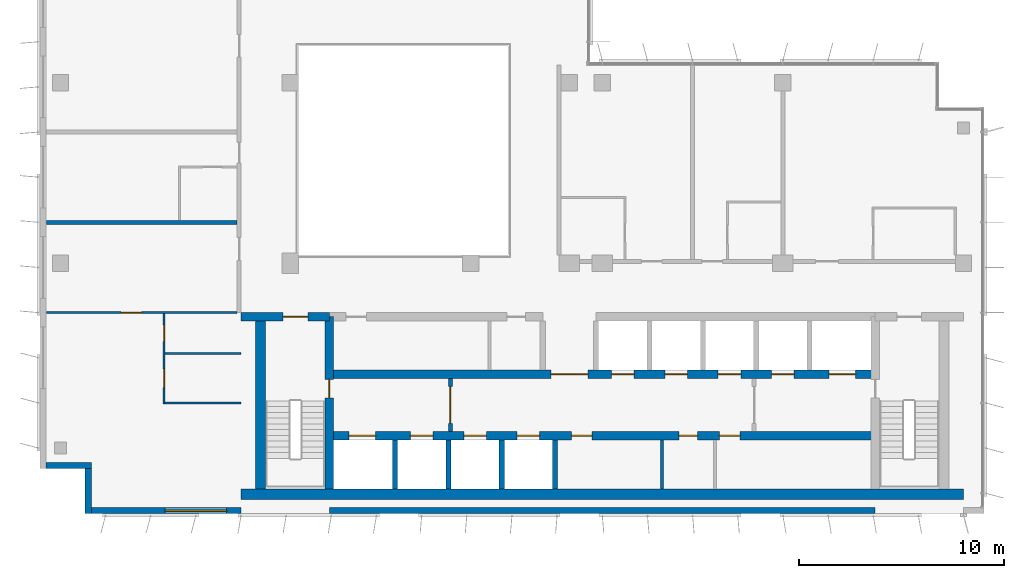
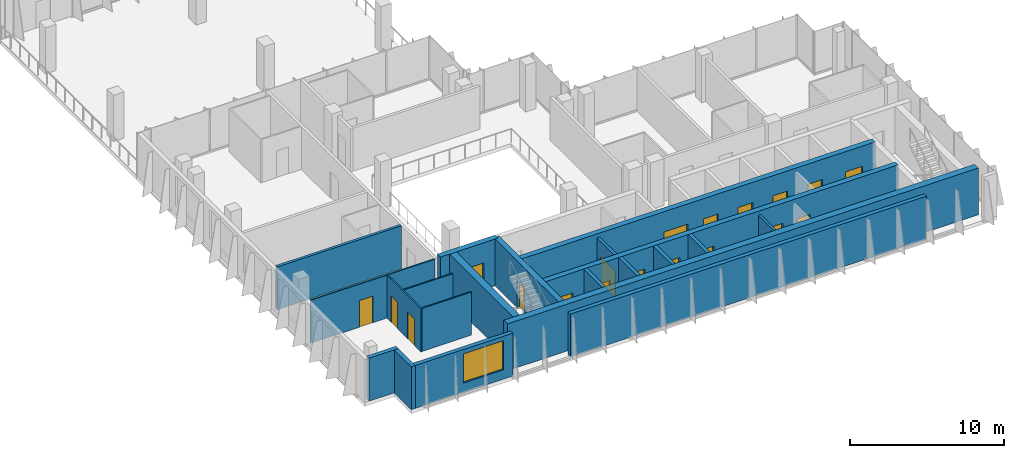
# One storey, part 9 of 15: 21 walls, 19 doors, 1 window, 20 openings.
"""IFC4 building model written with IfcOpenShell, lengths in metres."""

from ifc_helpers import new_model, si_unit, direction, frame, frame_2d, origin, place, context, subcontext, project, spatial, rectangle, extrude, material, layer, layer_set, type_object, element, fill, save


model = new_model("IFC4")

# Units and contexts
model_context = context("Model", 3, precision=1e-05, world=origin(), true_north=direction((0.0, 1.0)))
body_context = subcontext(model_context, "Body", "Model", "MODEL_VIEW")
ifc_project = project(units=[si_unit("LENGTHUNIT", "METRE"), si_unit("AREAUNIT", "SQUARE_METRE"), si_unit("VOLUMEUNIT", "CUBIC_METRE"), si_unit("PLANEANGLEUNIT", "RADIAN"), si_unit("MASSUNIT", "GRAM", prefix="KILO")], contexts=[model_context])

# Site, building, storey
site_placement = place(None, origin())
site = spatial("IfcSite", under=ifc_project, at=site_placement, CompositionType="ELEMENT")
building_placement = place(site_placement, origin())
building = spatial("IfcBuilding", under=site, at=building_placement, Name="Kemantara Hotel Tower", CompositionType="ELEMENT")
storey_placement = place(building_placement, frame((0.0, 0.0, 241.300048828125)))
storey = spatial("IfcBuildingStorey", under=building, at=storey_placement, Name="L60", CompositionType="ELEMENT", Elevation=241.300048828125)

# Walls
ifc_material_1 = material(Name="Bronze anodised aluminium cladding on insulated steel stud wall", Category="steel")
ifc_layer_1 = layer(ifc_material_1, 0.300048828125)
ifc_layer_set_1 = layer_set([ifc_layer_1], Name="Bronze anodised aluminium cladding on insulated steel stud wall")
wall_type_1 = type_object("IfcWallType", Name="BRONZE METAL-CLAD EXTERNAL WALL 300", PredefinedType="STANDARD", material=ifc_layer_set_1)
for number, where, z_axis, x_axis, name in (
    (1, (0.300048828125, 2.35009765625, 0.0), (0.0, 0.0, 1.0), (1.0, 0.0, 0.0), "EXTERNAL WALL L60 T4P-R03"),
    (2, (2.35009765625, 2.199951171875, 0.0), (0.0, 0.0, 1.0), (0.0, -1.0, 0.0), "EXTERNAL WALL L60 T4P-R04"),
):
    element("IfcWall", number, at=place(storey_placement, frame(where, z_axis=z_axis, x_axis=x_axis)), inside=storey, type_object=wall_type_1, Name=name, PredefinedType="STANDARD", context=body_context, shape_type="SweptSolid", body=[
        extrude(rectangle(XDim=2.199951171875, YDim=0.300048828125, at=frame_2d((1.10009765625, 0.0))), origin(), (0.0, 0.0, 1.0), 3.39990234375),
    ])

# Wall, opening, window
wall_1_placement = place(storey_placement, frame((2.5, 0.14990234375, 0.0), z_axis=(0.0, 0.0, 1.0), x_axis=(1.0, 0.0, 0.0)))
wall_1 = element("IfcWall", 3, at=wall_1_placement, inside=storey, type_object=wall_type_1, Name="EXTERNAL WALL L60 T4P-R05", PredefinedType="STANDARD", context=body_context, shape_type="SweptSolid", body=[
    extrude(rectangle(XDim=7.300048828125, YDim=0.300048828125, at=frame_2d((3.64990234375, 0.0))), origin(), (0.0, 0.0, 1.0), 3.39990234375),
])
opening_1_placement = place(wall_1_placement, frame((3.60009765625, 0.0, 0.75)))
opening_1 = element("IfcOpeningElement", 4, at=opening_1_placement, cuts=wall_1, Name="Opening W1", PredefinedType="OPENING", context=body_context, shape_type="SweptSolid", body=[
    extrude(rectangle(XDim=3.0, YDim=2.300048828125, at=frame_2d((1.5, 1.14990234375))), frame((0.0, 0.159912109375, 0.0), z_axis=(0.0, -1.0, 0.0), x_axis=(1.0, 0.0, 0.0)), (0.0, 0.0, 1.0), 0.320068359375),
])
ifc_material_2 = material(Name="Low-E tinted double insulated glass in bronze anodised aluminium frame", Category="aluminium")
window_type = type_object("IfcWindowType", Name="CHICAGO WINDOW, TRIPLE PANEL 3000x2300", PartitioningType="TRIPLE_PANEL_VERTICAL", PredefinedType="WINDOW", material=ifc_material_2)
window_placement = place(opening_1_placement, origin())
window = element("IfcWindow", 5, at=window_placement, inside=storey, type_object=window_type, Name="CHICAGO WINDOW L60 T4P-R05-54", OverallHeight=2.300048828125, OverallWidth=3.0, PartitioningType="SINGLE_PANEL", PredefinedType="WINDOW", context=body_context, shape_type="SweptSolid", body=[
    extrude(rectangle(XDim=3.0, YDim=2.300048828125, at=frame_2d((1.5, 1.14990234375))), frame((0.0, 0.030029296875, 0.0), z_axis=(0.0, -1.0, 0.0), x_axis=(1.0, 0.0, 0.0)), (0.0, 0.0, 1.0), 0.06005859375),
])
fill(opening_1, window)

# Walls
wall_2_placement = place(storey_placement, frame((14.10009765625, 0.14990234375, 0.0), z_axis=(0.0, 0.0, 1.0), x_axis=(1.0, 0.0, 0.0)))
element("IfcWall", 6, at=wall_2_placement, inside=storey, type_object=wall_type_1, Name="EXTERNAL WALL L60 T4P-R05-2", PredefinedType="STANDARD", context=body_context, shape_type="SweptSolid", body=[
    extrude(rectangle(XDim=26.599853515625, YDim=0.300048828125, at=frame_2d((13.2998046875, 0.0))), origin(), (0.0, 0.0, 1.0), 3.39990234375),
])
ifc_material_3 = material(Name="Concrete fc 60 MPa", Category="concrete")
ifc_layer_2 = layer(ifc_material_3, 0.25)
ifc_layer_set_2 = layer_set([ifc_layer_2], Name="Concrete fc 60 MPa")
wall_type_2 = type_object("IfcWallType", Name="CORE WALL 250 FC60", PredefinedType="SHEAR", material=ifc_layer_set_2)
for number, where, z_axis, x_axis, name in (
    (7, (17.300048828125, 1.199951171875, 0.0), (0.0, 0.0, 1.0), (0.0, 1.0, 0.0), "CORE WALL CW-DS17.3"),
    (8, (19.89990234375, 1.199951171875, 0.0), (0.0, 0.0, 1.0), (0.0, 1.0, 0.0), "CORE WALL CW-DS19.9"),
    (9, (22.5, 1.199951171875, 0.0), (0.0, 0.0, 1.0), (0.0, 1.0, 0.0), "CORE WALL CW-DS22.5"),
    (10, (25.10009765625, 1.199951171875, 0.0), (0.0, 0.0, 1.0), (0.0, 1.0, 0.0), "CORE WALL CW-DS25.1"),
):
    element("IfcWall", number, at=place(storey_placement, frame(where, z_axis=z_axis, x_axis=x_axis)), inside=storey, type_object=wall_type_2, Name=name, PredefinedType="SHEAR", context=body_context, shape_type="SweptSolid", body=[
        extrude(rectangle(XDim=2.400146484375, YDim=0.25, at=frame_2d((1.2001953125, 0.0))), origin(), (0.0, 0.0, 1.0), 3.699951171875),
    ])

# Wall, opening, door
ifc_layer_3 = layer(ifc_material_3, 0.39990234375)
ifc_layer_set_3 = layer_set([ifc_layer_3], Name="Concrete fc 60 MPa")
wall_type_3 = type_object("IfcWallType", Name="CORE WALL 400 FC60", PredefinedType="SHEAR", material=ifc_layer_set_3)
wall_3_placement = place(storey_placement, frame((9.800048828125, 9.60009765625, 0.0), z_axis=(0.0, 0.0, 1.0), x_axis=(1.0, 0.0, 0.0)))
wall_3 = element("IfcWall", 11, at=wall_3_placement, inside=storey, type_object=wall_type_3, Name="CORE WALL CW-N1", PredefinedType="SHEAR", context=body_context, shape_type="SweptSolid", body=[
    extrude(rectangle(XDim=4.300048828125, YDim=0.39990234375, at=frame_2d((2.14990234375, 0.0))), origin(), (0.0, 0.0, 1.0), 3.699951171875),
])
opening_2_placement = place(wall_3_placement, frame((2.050048828125, 0.0, 0.0)))
opening_2 = element("IfcOpeningElement", 12, at=opening_2_placement, cuts=wall_3, Name="Opening C36-ST1-C", PredefinedType="OPENING", context=body_context, shape_type="SweptSolid", body=[
    extrude(rectangle(XDim=1.199951171875, YDim=2.10009765625, at=frame_2d((0.60009765625, 1.050048828125))), frame((0.0, 0.2099609375, 0.0), z_axis=(0.0, -1.0, 0.0), x_axis=(1.0, 0.0, 0.0)), (0.0, 0.0, 1.0), 0.419921875),
])
ifc_material_4 = material(Name="Steel fire door", Category="steel")
door_type_1 = type_object("IfcDoorType", Name="Fire door FD90 1200 x 2100", OperationType="NOTDEFINED", PredefinedType="DOOR", material=ifc_material_4)
door_1_placement = place(opening_2_placement, frame((1.199951171875, 0.0, 0.0), z_axis=(0.0, 0.0, 1.0), x_axis=(-1.0, 0.0, 0.0)))
door_1 = element("IfcDoor", 13, at=door_1_placement, inside=storey, type_object=door_type_1, Name="Stair ST1 door to corridor", OperationType="SINGLE_SWING_LEFT", OverallHeight=2.10009765625, OverallWidth=1.199951171875, PredefinedType="DOOR", context=body_context, shape_type="SweptSolid", body=[
    extrude(rectangle(XDim=1.199951171875, YDim=2.10009765625, at=frame_2d((0.60009765625, 1.050048828125))), frame((0.0, 0.02490234375, 0.0), z_axis=(0.0, -1.0, 0.0), x_axis=(1.0, 0.0, 0.0)), (0.0, 0.0, 1.0), 0.050048828125),
])
fill(opening_2, door_1)

# Wall, openings, doors
wall_4_placement = place(storey_placement, frame((14.10009765625, 3.800048828125, 0.0), z_axis=(0.0, 0.0, 1.0), x_axis=(1.0, 0.0, 0.0)))
wall_4 = element("IfcWall", 14, at=wall_4_placement, inside=storey, type_object=wall_type_3, Name="CORE WALL CW-L1", PredefinedType="SHEAR", context=body_context, shape_type="SweptSolid", body=[
    extrude(rectangle(XDim=26.599853515625, YDim=0.39990234375, at=frame_2d((13.2998046875, 0.0))), origin(), (0.0, 0.0, 1.0), 3.699951171875),
])
opening_3_placement = place(wall_4_placement, frame((0.949951171875, 0.0, 0.0)))
opening_3 = element("IfcOpeningElement", 15, at=opening_3_placement, cuts=wall_4, Name="Opening C36-LD-FF1", PredefinedType="OPENING", context=body_context, shape_type="SweptSolid", body=[
    extrude(rectangle(XDim=1.300048828125, YDim=2.10009765625, at=frame_2d((0.64990234375, 1.050048828125))), frame((0.0, 0.2099609375, 0.0), z_axis=(0.0, -1.0, 0.0), x_axis=(1.0, 0.0, 0.0)), (0.0, 0.0, 1.0), 0.419921875),
])
opening_4_placement = place(wall_4_placement, frame((3.949951171875, 0.0, 0.0)))
opening_4 = element("IfcOpeningElement", 16, at=opening_4_placement, cuts=wall_4, Name="Opening C36-LD-SV1", PredefinedType="OPENING", context=body_context, shape_type="SweptSolid", body=[
    extrude(rectangle(XDim=1.10009765625, YDim=2.10009765625, at=frame_2d((0.550048828125, 1.050048828125))), frame((0.0, 0.2099609375, 0.0), z_axis=(0.0, -1.0, 0.0), x_axis=(1.0, 0.0, 0.0)), (0.0, 0.0, 1.0), 0.419921875),
])
opening_5_placement = place(wall_4_placement, frame((6.550048828125, 0.0, 0.0)))
opening_5 = element("IfcOpeningElement", 17, at=opening_5_placement, cuts=wall_4, Name="Opening C36-LD-SV2", PredefinedType="OPENING", context=body_context, shape_type="SweptSolid", body=[
    extrude(rectangle(XDim=1.10009765625, YDim=2.10009765625, at=frame_2d((0.550048828125, 1.050048828125))), frame((0.0, 0.2099609375, 0.0), z_axis=(0.0, -1.0, 0.0), x_axis=(1.0, 0.0, 0.0)), (0.0, 0.0, 1.0), 0.419921875),
])
opening_6_placement = place(wall_4_placement, frame((9.14990234375, 0.0, 0.0)))
opening_6 = element("IfcOpeningElement", 18, at=opening_6_placement, cuts=wall_4, Name="Opening C36-LD-SV3", PredefinedType="OPENING", context=body_context, shape_type="SweptSolid", body=[
    extrude(rectangle(XDim=1.10009765625, YDim=2.10009765625, at=frame_2d((0.550048828125, 1.050048828125))), frame((0.0, 0.2099609375, 0.0), z_axis=(0.0, -1.0, 0.0), x_axis=(1.0, 0.0, 0.0)), (0.0, 0.0, 1.0), 0.419921875),
])
opening_7_placement = place(wall_4_placement, frame((11.800048828125, 0.0, 0.0)))
opening_7 = element("IfcOpeningElement", 19, at=opening_7_placement, cuts=wall_4, Name="Opening C36-R-SM1", PredefinedType="OPENING", context=body_context, shape_type="SweptSolid", body=[
    extrude(rectangle(XDim=1.0, YDim=2.10009765625, at=frame_2d((0.5, 1.050048828125))), frame((0.0, 0.2099609375, 0.0), z_axis=(0.0, -1.0, 0.0), x_axis=(1.0, 0.0, 0.0)), (0.0, 0.0, 1.0), 0.419921875),
])
opening_8_placement = place(wall_4_placement, frame((17.050048828125, 0.0, 0.0)))
opening_8 = element("IfcOpeningElement", 20, at=opening_8_placement, cuts=wall_4, Name="Opening C36-R-SM2", PredefinedType="OPENING", context=body_context, shape_type="SweptSolid", body=[
    extrude(rectangle(XDim=0.89990234375, YDim=2.10009765625, at=frame_2d((0.449951171875, 1.050048828125))), frame((0.0, 0.2099609375, 0.0), z_axis=(0.0, -1.0, 0.0), x_axis=(1.0, 0.0, 0.0)), (0.0, 0.0, 1.0), 0.419921875),
])
opening_9_placement = place(wall_4_placement, frame((19.0, 0.0, 0.0)))
opening_9 = element("IfcOpeningElement", 21, at=opening_9_placement, cuts=wall_4, Name="Opening C36-R-SM3", PredefinedType="OPENING", context=body_context, shape_type="SweptSolid", body=[
    extrude(rectangle(XDim=1.0, YDim=2.10009765625, at=frame_2d((0.5, 1.050048828125))), frame((0.0, 0.2099609375, 0.0), z_axis=(0.0, -1.0, 0.0), x_axis=(1.0, 0.0, 0.0)), (0.0, 0.0, 1.0), 0.419921875),
])
door_type_2 = type_object("IfcDoorType", Name="Fire door FD30S 1000 x 2100", OperationType="NOTDEFINED", PredefinedType="DOOR", material=ifc_material_4)
door_2_placement = place(opening_7_placement, frame((1.0, 0.0, 0.0), z_axis=(0.0, 0.0, 1.0), x_axis=(-1.0, 0.0, 0.0)))
door_2 = element("IfcDoor", 22, at=door_2_placement, inside=storey, type_object=door_type_2, Name="Ice And Vending Room door", OperationType="SINGLE_SWING_RIGHT", OverallHeight=2.10009765625, OverallWidth=1.0, PredefinedType="DOOR", context=body_context, shape_type="SweptSolid", body=[
    extrude(rectangle(XDim=1.0, YDim=2.10009765625, at=frame_2d((0.5, 1.050048828125))), frame((0.0, 0.02490234375, 0.0), z_axis=(0.0, -1.0, 0.0), x_axis=(1.0, 0.0, 0.0)), (0.0, 0.0, 1.0), 0.050048828125),
])
fill(opening_7, door_2)
door_3_placement = place(opening_9_placement, frame((1.0, 0.0, 0.0), z_axis=(0.0, 0.0, 1.0), x_axis=(-1.0, 0.0, 0.0)))
door_3 = element("IfcDoor", 23, at=door_3_placement, inside=storey, type_object=door_type_2, Name="Guest Pantry door", OperationType="SINGLE_SWING_LEFT", OverallHeight=2.10009765625, OverallWidth=1.0, PredefinedType="DOOR", context=body_context, shape_type="SweptSolid", body=[
    extrude(rectangle(XDim=1.0, YDim=2.10009765625, at=frame_2d((0.5, 1.050048828125))), frame((0.0, 0.02490234375, 0.0), z_axis=(0.0, -1.0, 0.0), x_axis=(1.0, 0.0, 0.0)), (0.0, 0.0, 1.0), 0.050048828125),
])
fill(opening_9, door_3)
door_type_3 = type_object("IfcDoorType", Name="Fire door FD30S 900 x 2100", OperationType="NOTDEFINED", PredefinedType="DOOR", material=ifc_material_4)
door_4_placement = place(opening_8_placement, frame((0.89990234375, 0.0, 0.0), z_axis=(0.0, 0.0, 1.0), x_axis=(-1.0, 0.0, 0.0)))
door_4 = element("IfcDoor", 24, at=door_4_placement, inside=storey, type_object=door_type_3, Name="Staff Wc door", OperationType="SINGLE_SWING_LEFT", OverallHeight=2.10009765625, OverallWidth=0.89990234375, PredefinedType="DOOR", context=body_context, shape_type="SweptSolid", body=[
    extrude(rectangle(XDim=0.89990234375, YDim=2.10009765625, at=frame_2d((0.449951171875, 1.050048828125))), frame((0.0, 0.02490234375, 0.0), z_axis=(0.0, -1.0, 0.0), x_axis=(1.0, 0.0, 0.0)), (0.0, 0.0, 1.0), 0.050048828125),
])
fill(opening_8, door_4)
ifc_material_5 = material(Name="Stainless steel lift door", Category="steel")
door_type_4 = type_object("IfcDoorType", Name="Lift landing door 1100 x 2100 FD60", OperationType="DOUBLE_DOOR_SLIDING", PredefinedType="DOOR", material=ifc_material_5)
door_5_placement = place(opening_4_placement, origin())
door_5 = element("IfcDoor", 25, at=door_5_placement, inside=storey, type_object=door_type_4, Name="Lift SV1 landing door", OperationType="DOUBLE_DOOR_SLIDING", OverallHeight=2.10009765625, OverallWidth=1.10009765625, PredefinedType="DOOR", context=body_context, shape_type="SweptSolid", body=[
    extrude(rectangle(XDim=1.10009765625, YDim=2.10009765625, at=frame_2d((0.550048828125, 1.050048828125))), frame((0.0, 0.02490234375, 0.0), z_axis=(0.0, -1.0, 0.0), x_axis=(1.0, 0.0, 0.0)), (0.0, 0.0, 1.0), 0.050048828125),
])
fill(opening_4, door_5)
door_6_placement = place(opening_5_placement, origin())
door_6 = element("IfcDoor", 26, at=door_6_placement, inside=storey, type_object=door_type_4, Name="Lift SV2 landing door", OperationType="DOUBLE_DOOR_SLIDING", OverallHeight=2.10009765625, OverallWidth=1.10009765625, PredefinedType="DOOR", context=body_context, shape_type="SweptSolid", body=[
    extrude(rectangle(XDim=1.10009765625, YDim=2.10009765625, at=frame_2d((0.550048828125, 1.050048828125))), frame((0.0, 0.02490234375, 0.0), z_axis=(0.0, -1.0, 0.0), x_axis=(1.0, 0.0, 0.0)), (0.0, 0.0, 1.0), 0.050048828125),
])
fill(opening_5, door_6)
door_7_placement = place(opening_6_placement, origin())
door_7 = element("IfcDoor", 27, at=door_7_placement, inside=storey, type_object=door_type_4, Name="Lift SV3 landing door", OperationType="DOUBLE_DOOR_SLIDING", OverallHeight=2.10009765625, OverallWidth=1.10009765625, PredefinedType="DOOR", context=body_context, shape_type="SweptSolid", body=[
    extrude(rectangle(XDim=1.10009765625, YDim=2.10009765625, at=frame_2d((0.550048828125, 1.050048828125))), frame((0.0, 0.02490234375, 0.0), z_axis=(0.0, -1.0, 0.0), x_axis=(1.0, 0.0, 0.0)), (0.0, 0.0, 1.0), 0.050048828125),
])
fill(opening_6, door_7)
door_type_5 = type_object("IfcDoorType", Name="Lift landing door 1300 x 2100 FD90", OperationType="DOUBLE_DOOR_SLIDING", PredefinedType="DOOR", material=ifc_material_5)
door_8_placement = place(opening_3_placement, origin())
door_8 = element("IfcDoor", 28, at=door_8_placement, inside=storey, type_object=door_type_5, Name="Lift FF1 landing door", OperationType="DOUBLE_DOOR_SLIDING", OverallHeight=2.10009765625, OverallWidth=1.300048828125, PredefinedType="DOOR", context=body_context, shape_type="SweptSolid", body=[
    extrude(rectangle(XDim=1.300048828125, YDim=2.10009765625, at=frame_2d((0.64990234375, 1.050048828125))), frame((0.0, 0.02490234375, 0.0), z_axis=(0.0, -1.0, 0.0), x_axis=(1.0, 0.0, 0.0)), (0.0, 0.0, 1.0), 0.050048828125),
])
fill(opening_3, door_8)

wall_5_placement = place(storey_placement, frame((14.10009765625, 6.800048828125, 0.0), z_axis=(0.0, 0.0, 1.0), x_axis=(1.0, 0.0, 0.0)))
wall_5 = element("IfcWall", 29, at=wall_5_placement, inside=storey, type_object=wall_type_3, Name="CORE WALL CW-L2", PredefinedType="SHEAR", context=body_context, shape_type="SweptSolid", body=[
    extrude(rectangle(XDim=26.599853515625, YDim=0.39990234375, at=frame_2d((13.2998046875, 0.0))), origin(), (0.0, 0.0, 1.0), 3.699951171875),
])
opening_10_placement = place(wall_5_placement, frame((10.800048828125, 0.0, 0.0)))
opening_10 = element("IfcOpeningElement", 30, at=opening_10_placement, cuts=wall_5, Name="Opening C36-VL", PredefinedType="OPENING", context=body_context, shape_type="SweptSolid", body=[
    extrude(rectangle(XDim=1.800048828125, YDim=2.10009765625, at=frame_2d((0.89990234375, 1.050048828125))), frame((0.0, 0.2099609375, 0.0), z_axis=(0.0, -1.0, 0.0), x_axis=(1.0, 0.0, 0.0)), (0.0, 0.0, 1.0), 0.419921875),
])
opening_11_placement = place(wall_5_placement, frame((13.75, 0.0, 0.0)))
opening_11 = element("IfcOpeningElement", 31, at=opening_11_placement, cuts=wall_5, Name="Opening C36-LD-HR1", PredefinedType="OPENING", context=body_context, shape_type="SweptSolid", body=[
    extrude(rectangle(XDim=1.10009765625, YDim=2.10009765625, at=frame_2d((0.550048828125, 1.050048828125))), frame((0.0, 0.2099609375, 0.0), z_axis=(0.0, -1.0, 0.0), x_axis=(1.0, 0.0, 0.0)), (0.0, 0.0, 1.0), 0.419921875),
])
opening_12_placement = place(wall_5_placement, frame((16.35009765625, 0.0, 0.0)))
opening_12 = element("IfcOpeningElement", 32, at=opening_12_placement, cuts=wall_5, Name="Opening C36-LD-HR2", PredefinedType="OPENING", context=body_context, shape_type="SweptSolid", body=[
    extrude(rectangle(XDim=1.10009765625, YDim=2.10009765625, at=frame_2d((0.550048828125, 1.050048828125))), frame((0.0, 0.2099609375, 0.0), z_axis=(0.0, -1.0, 0.0), x_axis=(1.0, 0.0, 0.0)), (0.0, 0.0, 1.0), 0.419921875),
])
opening_13_placement = place(wall_5_placement, frame((18.949951171875, 0.0, 0.0)))
opening_13 = element("IfcOpeningElement", 33, at=opening_13_placement, cuts=wall_5, Name="Opening C36-LD-HR3", PredefinedType="OPENING", context=body_context, shape_type="SweptSolid", body=[
    extrude(rectangle(XDim=1.10009765625, YDim=2.10009765625, at=frame_2d((0.550048828125, 1.050048828125))), frame((0.0, 0.2099609375, 0.0), z_axis=(0.0, -1.0, 0.0), x_axis=(1.0, 0.0, 0.0)), (0.0, 0.0, 1.0), 0.419921875),
])
opening_14_placement = place(wall_5_placement, frame((21.550048828125, 0.0, 0.0)))
opening_14 = element("IfcOpeningElement", 34, at=opening_14_placement, cuts=wall_5, Name="Opening C36-LD-HR4", PredefinedType="OPENING", context=body_context, shape_type="SweptSolid", body=[
    extrude(rectangle(XDim=1.10009765625, YDim=2.10009765625, at=frame_2d((0.550048828125, 1.050048828125))), frame((0.0, 0.2099609375, 0.0), z_axis=(0.0, -1.0, 0.0), x_axis=(1.0, 0.0, 0.0)), (0.0, 0.0, 1.0), 0.419921875),
])
opening_15_placement = place(wall_5_placement, frame((24.35009765625, 0.0, 0.0)))
opening_15 = element("IfcOpeningElement", 35, at=opening_15_placement, cuts=wall_5, Name="Opening C36-LD-FF2", PredefinedType="OPENING", context=body_context, shape_type="SweptSolid", body=[
    extrude(rectangle(XDim=1.300048828125, YDim=2.10009765625, at=frame_2d((0.64990234375, 1.050048828125))), frame((0.0, 0.2099609375, 0.0), z_axis=(0.0, -1.0, 0.0), x_axis=(1.0, 0.0, 0.0)), (0.0, 0.0, 1.0), 0.419921875),
])
door_type_6 = type_object("IfcDoorType", Name="Fire door pair FD60 1800 x 2100", OperationType="DOUBLE_DOOR_SINGLE_SWING", PredefinedType="DOOR", material=ifc_material_4)
door_9_placement = place(opening_10_placement, frame((1.800048828125, 0.0, 0.0), z_axis=(0.0, 0.0, 1.0), x_axis=(-1.0, 0.0, 0.0)))
door_9 = element("IfcDoor", 36, at=door_9_placement, inside=storey, type_object=door_type_6, Name="Lift lobby entry door", OperationType="DOUBLE_DOOR_SINGLE_SWING", OverallHeight=2.10009765625, OverallWidth=1.800048828125, PredefinedType="DOOR", context=body_context, shape_type="SweptSolid", body=[
    extrude(rectangle(XDim=1.800048828125, YDim=2.10009765625, at=frame_2d((0.89990234375, 1.050048828125))), frame((0.0, 0.02490234375, 0.0), z_axis=(0.0, -1.0, 0.0), x_axis=(1.0, 0.0, 0.0)), (0.0, 0.0, 1.0), 0.050048828125),
])
fill(opening_10, door_9)
door_10_placement = place(opening_11_placement, origin())
door_10 = element("IfcDoor", 37, at=door_10_placement, inside=storey, type_object=door_type_4, Name="Lift HR1 landing door", OperationType="DOUBLE_DOOR_SLIDING", OverallHeight=2.10009765625, OverallWidth=1.10009765625, PredefinedType="DOOR", context=body_context, shape_type="SweptSolid", body=[
    extrude(rectangle(XDim=1.10009765625, YDim=2.10009765625, at=frame_2d((0.550048828125, 1.050048828125))), frame((0.0, 0.02490234375, 0.0), z_axis=(0.0, -1.0, 0.0), x_axis=(1.0, 0.0, 0.0)), (0.0, 0.0, 1.0), 0.050048828125),
])
fill(opening_11, door_10)
door_11_placement = place(opening_12_placement, origin())
door_11 = element("IfcDoor", 38, at=door_11_placement, inside=storey, type_object=door_type_4, Name="Lift HR2 landing door", OperationType="DOUBLE_DOOR_SLIDING", OverallHeight=2.10009765625, OverallWidth=1.10009765625, PredefinedType="DOOR", context=body_context, shape_type="SweptSolid", body=[
    extrude(rectangle(XDim=1.10009765625, YDim=2.10009765625, at=frame_2d((0.550048828125, 1.050048828125))), frame((0.0, 0.02490234375, 0.0), z_axis=(0.0, -1.0, 0.0), x_axis=(1.0, 0.0, 0.0)), (0.0, 0.0, 1.0), 0.050048828125),
])
fill(opening_12, door_11)
door_12_placement = place(opening_13_placement, origin())
door_12 = element("IfcDoor", 39, at=door_12_placement, inside=storey, type_object=door_type_4, Name="Lift HR3 landing door", OperationType="DOUBLE_DOOR_SLIDING", OverallHeight=2.10009765625, OverallWidth=1.10009765625, PredefinedType="DOOR", context=body_context, shape_type="SweptSolid", body=[
    extrude(rectangle(XDim=1.10009765625, YDim=2.10009765625, at=frame_2d((0.550048828125, 1.050048828125))), frame((0.0, 0.02490234375, 0.0), z_axis=(0.0, -1.0, 0.0), x_axis=(1.0, 0.0, 0.0)), (0.0, 0.0, 1.0), 0.050048828125),
])
fill(opening_13, door_12)
door_13_placement = place(opening_14_placement, origin())
door_13 = element("IfcDoor", 40, at=door_13_placement, inside=storey, type_object=door_type_4, Name="Lift HR4 landing door", OperationType="DOUBLE_DOOR_SLIDING", OverallHeight=2.10009765625, OverallWidth=1.10009765625, PredefinedType="DOOR", context=body_context, shape_type="SweptSolid", body=[
    extrude(rectangle(XDim=1.10009765625, YDim=2.10009765625, at=frame_2d((0.550048828125, 1.050048828125))), frame((0.0, 0.02490234375, 0.0), z_axis=(0.0, -1.0, 0.0), x_axis=(1.0, 0.0, 0.0)), (0.0, 0.0, 1.0), 0.050048828125),
])
fill(opening_14, door_13)
door_14_placement = place(opening_15_placement, origin())
door_14 = element("IfcDoor", 41, at=door_14_placement, inside=storey, type_object=door_type_5, Name="Lift FF2 landing door", OperationType="DOUBLE_DOOR_SLIDING", OverallHeight=2.10009765625, OverallWidth=1.300048828125, PredefinedType="DOOR", context=body_context, shape_type="SweptSolid", body=[
    extrude(rectangle(XDim=1.300048828125, YDim=2.10009765625, at=frame_2d((0.64990234375, 1.050048828125))), frame((0.0, 0.02490234375, 0.0), z_axis=(0.0, -1.0, 0.0), x_axis=(1.0, 0.0, 0.0)), (0.0, 0.0, 1.0), 0.050048828125),
])
fill(opening_15, door_14)

# Wall, opening, door
wall_6_placement = place(storey_placement, frame((14.10009765625, 1.199951171875, 0.0), z_axis=(0.0, 0.0, 1.0), x_axis=(0.0, 1.0, 0.0)))
wall_6 = element("IfcWall", 42, at=wall_6_placement, inside=storey, type_object=wall_type_3, Name="CORE WALL CW-ST1E", PredefinedType="SHEAR", context=body_context, shape_type="SweptSolid", body=[
    extrude(rectangle(XDim=8.400146484375, YDim=0.39990234375, at=frame_2d((4.2001953125, 0.0))), origin(), (0.0, 0.0, 1.0), 3.699951171875),
])
opening_16_placement = place(wall_6_placement, frame((4.449951171875, 0.0, 0.0)))
opening_16 = element("IfcOpeningElement", 43, at=opening_16_placement, cuts=wall_6, Name="Opening C36-ST1-F", PredefinedType="OPENING", context=body_context, shape_type="SweptSolid", body=[
    extrude(rectangle(XDim=0.89990234375, YDim=2.10009765625, at=frame_2d((0.449951171875, 1.050048828125))), frame((0.0, 0.2099609375, 0.0), z_axis=(0.0, -1.0, 0.0), x_axis=(1.0, 0.0, 0.0)), (0.0, 0.0, 1.0), 0.419921875),
])
door_type_7 = type_object("IfcDoorType", Name="Fire door FD90 900 x 2100", OperationType="NOTDEFINED", PredefinedType="DOOR", material=ifc_material_4)
door_15_placement = place(opening_16_placement, origin())
door_15 = element("IfcDoor", 44, at=door_15_placement, inside=storey, type_object=door_type_7, Name="Stair ST1 door to firefighting lobby", OperationType="SINGLE_SWING_RIGHT", OverallHeight=2.10009765625, OverallWidth=0.89990234375, PredefinedType="DOOR", context=body_context, shape_type="SweptSolid", body=[
    extrude(rectangle(XDim=0.89990234375, YDim=2.10009765625, at=frame_2d((0.449951171875, 1.050048828125))), frame((0.0, 0.02490234375, 0.0), z_axis=(0.0, -1.0, 0.0), x_axis=(1.0, 0.0, 0.0)), (0.0, 0.0, 1.0), 0.050048828125),
])
fill(opening_16, door_15)

# Walls
ifc_layer_4 = layer(ifc_material_3, 0.5)
ifc_layer_set_4 = layer_set([ifc_layer_4], Name="Concrete fc 60 MPa")
wall_type_4 = type_object("IfcWallType", Name="CORE WALL 500 FC60", PredefinedType="SHEAR", material=ifc_layer_set_4)
wall_7_placement = place(storey_placement, frame((9.800048828125, 0.949951171875, 0.0), z_axis=(0.0, 0.0, 1.0), x_axis=(1.0, 0.0, 0.0)))
element("IfcWall", 45, at=wall_7_placement, inside=storey, type_object=wall_type_4, Name="CORE WALL CW-S", PredefinedType="SHEAR", context=body_context, shape_type="SweptSolid", body=[
    extrude(rectangle(XDim=35.199951171875, YDim=0.5, at=frame_2d((17.60009765625, 0.0))), origin(), (0.0, 0.0, 1.0), 3.699951171875),
])
wall_8_placement = place(storey_placement, frame((10.75, 1.199951171875, 0.0), z_axis=(0.0, 0.0, 1.0), x_axis=(0.0, 1.0, 0.0)))
element("IfcWall", 46, at=wall_8_placement, inside=storey, type_object=wall_type_4, Name="CORE WALL CW-W", PredefinedType="SHEAR", context=body_context, shape_type="SweptSolid", body=[
    extrude(rectangle(XDim=8.60009765625, YDim=0.5, at=frame_2d((4.300048828125, 0.0))), origin(), (0.0, 0.0, 1.0), 3.699951171875),
])
ifc_material_6 = material(Name="Gypsum board partition, steel studs and mineral wool, 200 mm", Category="steel")
ifc_layer_5 = layer(ifc_material_6, 0.199951171875)
ifc_layer_set_5 = layer_set([ifc_layer_5], Name="Gypsum board partition, steel studs and mineral wool, 200 mm")
wall_type_5 = type_object("IfcWallType", Name="GUEST ROOM PARTY WALL 200", PredefinedType="PARTITIONING", material=ifc_layer_set_5)
wall_9_placement = place(storey_placement, frame((0.31005859375, 14.199951171875, 0.0), z_axis=(0.0, 0.0, 1.0), x_axis=(1.0, 0.0, 0.0)))
element("IfcWall", 47, at=wall_9_placement, inside=storey, type_object=wall_type_5, Name="GUEST ROOM PARTY WALL 200 016", PredefinedType="PARTITIONING", context=body_context, shape_type="SweptSolid", body=[
    extrude(rectangle(XDim=9.2900390625, YDim=0.199951171875, at=frame_2d((4.64501953125, 0.0))), origin(), (0.0, 0.0, 1.0), 3.39990234375),
])
ifc_material_7 = material(Name="Gypsum board partition")
ifc_layer_6 = layer(ifc_material_7, 0.14990234375)
ifc_layer_set_6 = layer_set([ifc_layer_6], Name="Gypsum board partition")
wall_type_6 = type_object("IfcWallType", Name="Gypsum board partition 150 mm", PredefinedType="PARTITIONING", material=ifc_layer_set_6)
wall_10_placement = place(storey_placement, frame((30.300048828125, 1.199951171875, 0.0), z_axis=(0.0, 0.0, 1.0), x_axis=(0.0, 1.0, 0.0)))
element("IfcWall", 48, at=wall_10_placement, inside=storey, type_object=wall_type_6, Name="Core room partition", PredefinedType="PARTITIONING", context=body_context, shape_type="SweptSolid", body=[
    extrude(rectangle(XDim=2.400146484375, YDim=0.14990234375, at=frame_2d((1.2001953125, 0.0))), origin(), (0.0, 0.0, 1.0), 3.39990234375),
])

# Wall, opening, door
ifc_material_8 = material(Name="Gypsum board shaft wall")
ifc_layer_7 = layer(ifc_material_8, 0.199951171875)
ifc_layer_set_7 = layer_set([ifc_layer_7], Name="Gypsum board shaft wall")
wall_type_7 = type_object("IfcWallType", Name="Gypsum board shaft wall 200 mm", PredefinedType="PARTITIONING", material=ifc_layer_set_7)
wall_11_placement = place(storey_placement, frame((20.0, 4.0, 0.0), z_axis=(0.0, 0.0, 1.0), x_axis=(0.0, 1.0, 0.0)))
wall_11 = element("IfcWall", 49, at=wall_11_placement, inside=storey, type_object=wall_type_7, Name="Firefighting lobby partition west", PredefinedType="PARTITIONING", context=body_context, shape_type="SweptSolid", body=[
    extrude(rectangle(XDim=2.60009765625, YDim=0.199951171875, at=frame_2d((1.300048828125, 0.0))), origin(), (0.0, 0.0, 1.0), 3.39990234375),
])
opening_17_placement = place(wall_11_placement, frame((0.39990234375, 0.0, 0.0)))
opening_17 = element("IfcOpeningElement", 50, at=opening_17_placement, cuts=wall_11, Name="Opening C36-FFW", PredefinedType="OPENING", context=body_context, shape_type="SweptSolid", body=[
    extrude(rectangle(XDim=1.800048828125, YDim=2.10009765625, at=frame_2d((0.89990234375, 1.050048828125))), frame((0.0, 0.10986328125, 0.0), z_axis=(0.0, -1.0, 0.0), x_axis=(1.0, 0.0, 0.0)), (0.0, 0.0, 1.0), 0.219970703125),
])
door_16_placement = place(opening_17_placement, origin())
door_16 = element("IfcDoor", 51, at=door_16_placement, inside=storey, type_object=door_type_6, Name="Firefighting lobby door west", OperationType="DOUBLE_DOOR_SINGLE_SWING", OverallHeight=2.10009765625, OverallWidth=1.800048828125, PredefinedType="DOOR", context=body_context, shape_type="SweptSolid", body=[
    extrude(rectangle(XDim=1.800048828125, YDim=2.10009765625, at=frame_2d((0.89990234375, 1.050048828125))), frame((0.0, 0.02490234375, 0.0), z_axis=(0.0, -1.0, 0.0), x_axis=(1.0, 0.0, 0.0)), (0.0, 0.0, 1.0), 0.050048828125),
])
fill(opening_17, door_16)

# Wall, openings, doors
ifc_material_9 = material(Name="Gypsum board partition on steel studs, 100 mm", Category="steel")
ifc_layer_8 = layer(ifc_material_9, 0.10009765625)
ifc_layer_set_8 = layer_set([ifc_layer_8], Name="Gypsum board partition on steel studs, 100 mm")
wall_type_8 = type_object("IfcWallType", Name="ROOM PARTITION 100", PredefinedType="PARTITIONING", material=ifc_layer_set_8)
wall_12_placement = place(storey_placement, frame((6.050048828125, 9.75, 0.0), z_axis=(0.0, 0.0, 1.0), x_axis=(0.0, -1.0, 0.0)))
wall_12 = element("IfcWall", 52, at=wall_12_placement, inside=storey, type_object=wall_type_8, Name="ROOM PARTITION 100 028", PredefinedType="PARTITIONING", context=body_context, shape_type="SweptSolid", body=[
    extrude(rectangle(XDim=4.39990234375, YDim=0.10009765625, at=frame_2d((2.199951171875, 0.0))), origin(), (0.0, 0.0, 1.0), 3.39990234375),
])
opening_18_placement = place(wall_12_placement, frame((2.699951171875, 0.0, 0.0)))
opening_18 = element("IfcOpeningElement", 53, at=opening_18_placement, cuts=wall_12, Name="Opening F30-009", PredefinedType="OPENING", context=body_context, shape_type="SweptSolid", body=[
    extrude(rectangle(XDim=0.89990234375, YDim=2.10009765625, at=frame_2d((0.449951171875, 1.050048828125))), frame((0.0, 0.06005859375, 0.0), z_axis=(0.0, -1.0, 0.0), x_axis=(1.0, 0.0, 0.0)), (0.0, 0.0, 1.0), 0.1201171875),
])
opening_19_placement = place(wall_12_placement, frame((0.550048828125, 0.0, 0.0)))
opening_19 = element("IfcOpeningElement", 54, at=opening_19_placement, cuts=wall_12, Name="Opening F30-010", PredefinedType="OPENING", context=body_context, shape_type="SweptSolid", body=[
    extrude(rectangle(XDim=0.800048828125, YDim=2.10009765625, at=frame_2d((0.39990234375, 1.050048828125))), frame((0.0, 0.06005859375, 0.0), z_axis=(0.0, -1.0, 0.0), x_axis=(1.0, 0.0, 0.0)), (0.0, 0.0, 1.0), 0.1201171875),
])
ifc_material_10 = material(Name="Hardwood veneer door leaf with steel frame", Category="steel")
door_type_8 = type_object("IfcDoorType", Name="BATHROOM DOOR 900 X 2100", OperationType="NOTDEFINED", PredefinedType="DOOR", material=ifc_material_10)
door_17_placement = place(opening_18_placement, origin())
door_17 = element("IfcDoor", 55, at=door_17_placement, inside=storey, type_object=door_type_8, Name="BATHROOM DOOR F30-009", OperationType="SINGLE_SWING_LEFT", OverallHeight=2.10009765625, OverallWidth=0.89990234375, PredefinedType="DOOR", context=body_context, shape_type="SweptSolid", body=[
    extrude(rectangle(XDim=0.89990234375, YDim=2.10009765625, at=frame_2d((0.449951171875, 1.050048828125))), frame((0.0, 0.02490234375, 0.0), z_axis=(0.0, -1.0, 0.0), x_axis=(1.0, 0.0, 0.0)), (0.0, 0.0, 1.0), 0.050048828125),
])
fill(opening_18, door_17)
door_type_9 = type_object("IfcDoorType", Name="WARDROBE DOOR 800 X 2100", OperationType="NOTDEFINED", PredefinedType="DOOR", material=ifc_material_10)
door_18_placement = place(opening_19_placement, origin())
door_18 = element("IfcDoor", 56, at=door_18_placement, inside=storey, type_object=door_type_9, Name="WARDROBE DOOR F30-010", OperationType="SINGLE_SWING_LEFT", OverallHeight=2.10009765625, OverallWidth=0.800048828125, PredefinedType="DOOR", context=body_context, shape_type="SweptSolid", body=[
    extrude(rectangle(XDim=0.800048828125, YDim=2.10009765625, at=frame_2d((0.39990234375, 1.050048828125))), frame((0.0, 0.02490234375, 0.0), z_axis=(0.0, -1.0, 0.0), x_axis=(1.0, 0.0, 0.0)), (0.0, 0.0, 1.0), 0.050048828125),
])
fill(opening_19, door_18)

# Wall, opening, door
wall_13_placement = place(storey_placement, frame((9.60009765625, 9.800048828125, 0.0), z_axis=(0.0, 0.0, 1.0), x_axis=(-1.0, 0.0, 0.0)))
wall_13 = element("IfcWall", 57, at=wall_13_placement, inside=storey, type_object=wall_type_8, Name="ROOM PARTITION 100 029", PredefinedType="PARTITIONING", context=body_context, shape_type="SweptSolid", body=[
    extrude(rectangle(XDim=9.2900390625, YDim=0.10009765625, at=frame_2d((4.64501953125, 0.0))), origin(), (0.0, 0.0, 1.0), 3.39990234375),
])
opening_20_placement = place(wall_13_placement, frame((4.64990234375, 0.0, 0.0)))
opening_20 = element("IfcOpeningElement", 58, at=opening_20_placement, cuts=wall_13, Name="Opening F30-008", PredefinedType="OPENING", context=body_context, shape_type="SweptSolid", body=[
    extrude(rectangle(XDim=1.0, YDim=2.10009765625, at=frame_2d((0.5, 1.050048828125))), frame((0.0, 0.06005859375, 0.0), z_axis=(0.0, -1.0, 0.0), x_axis=(1.0, 0.0, 0.0)), (0.0, 0.0, 1.0), 0.1201171875),
])
door_type_10 = type_object("IfcDoorType", Name="INTERNAL DOOR 1000 X 2100", OperationType="NOTDEFINED", PredefinedType="DOOR", material=ifc_material_10)
door_19_placement = place(opening_20_placement, origin())
door_19 = element("IfcDoor", 59, at=door_19_placement, inside=storey, type_object=door_type_10, Name="INTERNAL DOOR F30-008", OperationType="SINGLE_SWING_LEFT", OverallHeight=2.10009765625, OverallWidth=1.0, PredefinedType="DOOR", context=body_context, shape_type="SweptSolid", body=[
    extrude(rectangle(XDim=1.0, YDim=2.10009765625, at=frame_2d((0.5, 1.050048828125))), frame((0.0, 0.02490234375, 0.0), z_axis=(0.0, -1.0, 0.0), x_axis=(1.0, 0.0, 0.0)), (0.0, 0.0, 1.0), 0.050048828125),
])
fill(opening_20, door_19)

# Walls
for number, where, z_axis, x_axis, name in (
    (60, (6.10009765625, 5.39990234375, 0.0), (0.0, 0.0, 1.0), (1.0, 0.0, 0.0), "ROOM PARTITION 100 030"),
    (61, (6.10009765625, 7.800048828125, 0.0), (0.0, 0.0, 1.0), (1.0, 0.0, 0.0), "ROOM PARTITION 100 031"),
):
    element("IfcWall", number, at=place(storey_placement, frame(where, z_axis=z_axis, x_axis=x_axis)), inside=storey, type_object=wall_type_8, Name=name, PredefinedType="PARTITIONING", context=body_context, shape_type="SweptSolid", body=[
        extrude(rectangle(XDim=3.69970703125, YDim=0.10009765625, at=frame_2d((1.849853515625, 0.0))), origin(), (0.0, 0.0, 1.0), 3.39990234375),
    ])

save(model, "model.ifc")
